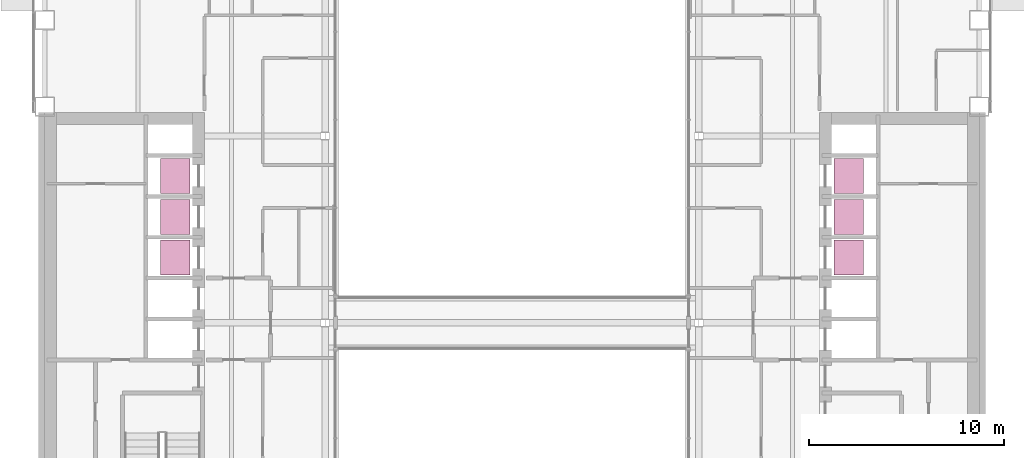
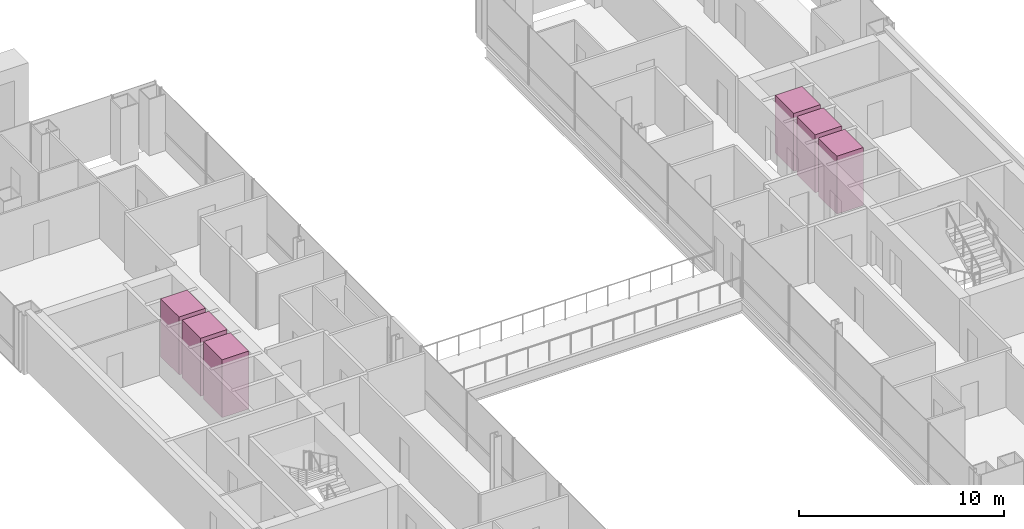
# One storey, part 21 of 21: 6 transport elements.
"""IFC4 building model written with IfcOpenShell, lengths in metres."""

from ifc_helpers import new_model, si_unit, direction, frame, origin, origin_2d, place, context, subcontext, project, spatial, rectangle, extrude, material, type_object, element, save


model = new_model("IFC4")

# Units and contexts
model_context = context("Model", 3, precision=1e-05, world=origin(), true_north=direction((0.0, 1.0)))
body_context = subcontext(model_context, "Body", "Model", "MODEL_VIEW")
ifc_project = project(units=[si_unit("LENGTHUNIT", "METRE"), si_unit("AREAUNIT", "SQUARE_METRE"), si_unit("VOLUMEUNIT", "CUBIC_METRE"), si_unit("PLANEANGLEUNIT", "RADIAN"), si_unit("MASSUNIT", "GRAM", prefix="KILO")], contexts=[model_context])

# Site, building, storey
site_placement = place(None, origin())
site = spatial("IfcSite", under=ifc_project, at=site_placement, CompositionType="ELEMENT")
building_placement = place(site_placement, origin())
building = spatial("IfcBuilding", under=site, at=building_placement, Name="Cobrizo Arcos Hotel Tower", CompositionType="ELEMENT")
storey_placement = place(building_placement, frame((0.0, 0.0, 74.0)))
storey = spatial("IfcBuildingStorey", under=building, at=storey_placement, Name="L17", CompositionType="ELEMENT", Elevation=74.0)

# Transport elements
ifc_material = material(Name="Stainless steel car", Category="steel")
transport_element_type = type_object("IfcTransportElementType", Name="Lift car Low 1.8x1.5", PredefinedType="ELEVATOR", material=ifc_material)
for number, where, z_axis, x_axis, name in (
    (1, (-17.300048828125, 3.35009765625, 0.0), (0.0, 0.0, 1.0), (1.0, 0.0, 0.0), "Low-rise passenger lift W1"),
    (2, (-17.300048828125, 5.449951171875, 0.0), (0.0, 0.0, 1.0), (1.0, 0.0, 0.0), "Low-rise passenger lift W2"),
    (3, (-17.300048828125, 7.550048828125, 0.0), (0.0, 0.0, 1.0), (1.0, 0.0, 0.0), "Low-rise passenger lift W3"),
    (4, (17.300048828125, 3.35009765625, 0.0), (0.0, 0.0, 1.0), (1.0, 0.0, 0.0), "Low-rise passenger lift E1"),
    (5, (17.300048828125, 5.449951171875, 0.0), (0.0, 0.0, 1.0), (1.0, 0.0, 0.0), "Low-rise passenger lift E2"),
    (6, (17.300048828125, 7.550048828125, 0.0), (0.0, 0.0, 1.0), (1.0, 0.0, 0.0), "Low-rise passenger lift E3"),
):
    element("IfcTransportElement", number, at=place(storey_placement, frame(where, z_axis=z_axis, x_axis=x_axis)), inside=storey, type_object=transport_element_type, Name=name, PredefinedType="ELEVATOR", context=body_context, shape_type="SweptSolid", body=[
        extrude(rectangle(XDim=1.5, YDim=1.800048828125, at=origin_2d()), origin(), (0.0, 0.0, 1.0), 3.449951171875),
    ])

save(model, "model.ifc")
